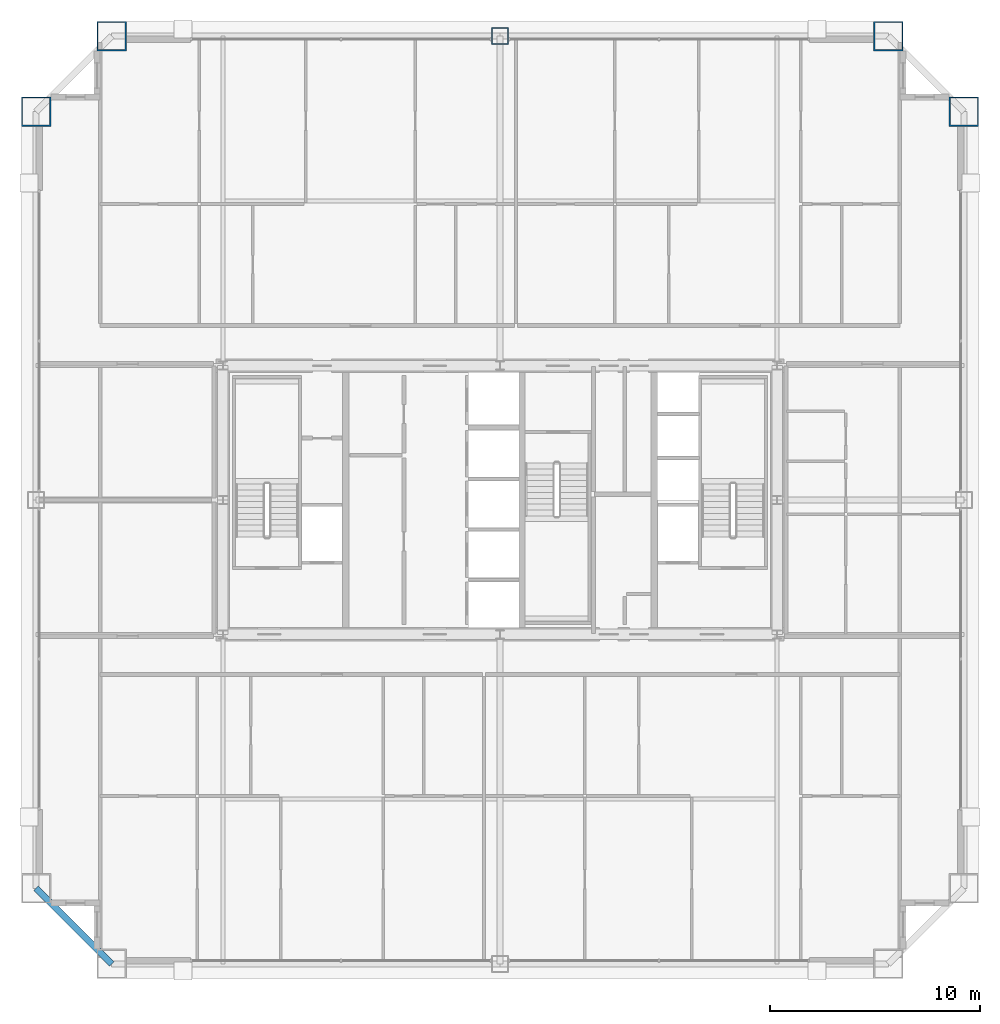
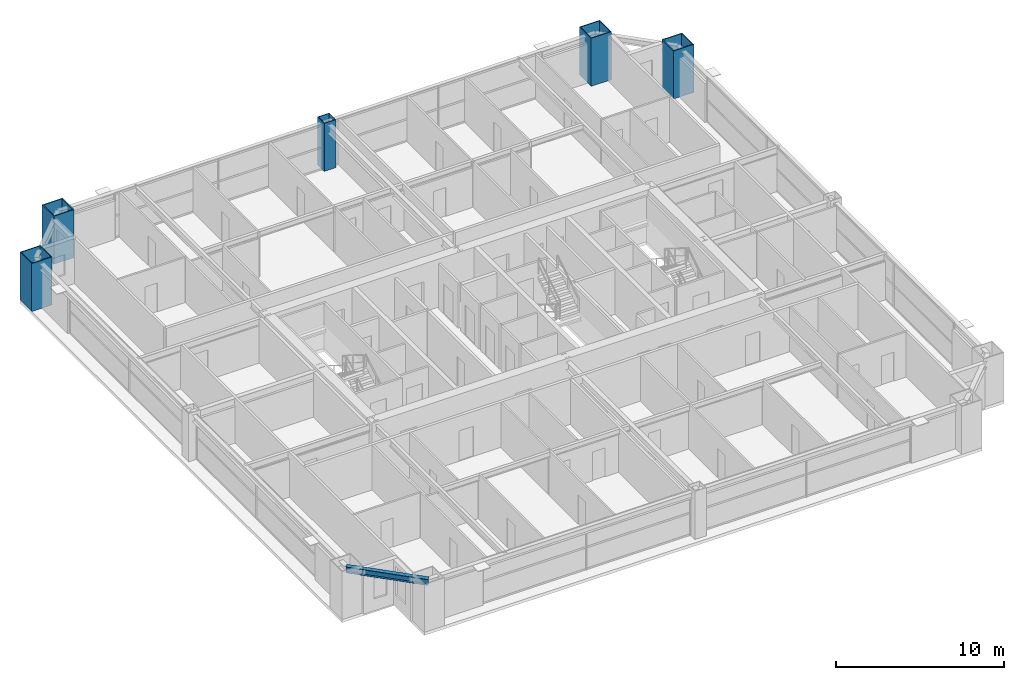
# One storey, part 3 of 38: 5 columns, 1 beam.
"""IFC4 building model written with IfcOpenShell, lengths in metres."""

from ifc_helpers import new_model, si_unit, direction, frame, origin, origin_2d, place, context, subcontext, project, spatial, hollow_rectangle, i_section, extrude, source, transform, mapped, material, material_profile, profile_set, type_object, element, save


model = new_model("IFC4")

# Units and contexts
model_context = context("Model", 3, precision=1e-05, world=origin(), true_north=direction((0.0, 1.0)))
body_context = subcontext(model_context, "Body", "Model", "MODEL_VIEW")
ifc_project = project(units=[si_unit("LENGTHUNIT", "METRE"), si_unit("AREAUNIT", "SQUARE_METRE"), si_unit("VOLUMEUNIT", "CUBIC_METRE"), si_unit("PLANEANGLEUNIT", "RADIAN"), si_unit("MASSUNIT", "GRAM", prefix="KILO"), si_unit("THERMODYNAMICTEMPERATUREUNIT", "KELVIN"), si_unit("POWERUNIT", "WATT")], contexts=[model_context])

# Site, building, storey
site_placement = place(None, origin())
site = spatial("IfcSite", under=ifc_project, at=site_placement, CompositionType="ELEMENT")
building_placement = place(site_placement, origin())
building = spatial("IfcBuilding", under=site, at=building_placement, Name="Yuzanri Waterfront Tower", CompositionType="ELEMENT")
storey_placement = place(building_placement, frame((0.0, 0.0, 195.0)))
storey = spatial("IfcBuildingStorey", under=building, at=storey_placement, Name="L51", CompositionType="ELEMENT", Elevation=195.0)

# Columns
ifc_material_1 = material(Name="Steel Q420GJC", Category="steel")
ifc_material_profile_1 = material_profile(ifc_material_1, hollow_rectangle(XDim=1.39990234375, YDim=1.39990234375, WallThickness=0.06005859375, at=origin_2d()), Name="RHS 1400x1400x60")
ifc_profile_set_1 = profile_set([ifc_material_profile_1], Name="Steel Q420GJC")
column_type_1 = type_object("IfcColumnType", Name="Mega Column Q420GJC RHS 1400x1400x60", PredefinedType="COLUMN", material=ifc_profile_set_1)
shared_shape_1 = source(origin(), body_context, "Body", "SweptSolid", [
    extrude(hollow_rectangle(XDim=1.39990234375, YDim=1.39990234375, WallThickness=0.06005859375, at=origin_2d()), origin(), (0.0, 0.0, 1.0), 3.5),
])
for number, where, z_axis, x_axis, name in (
    (1, (18.5, 47.89990234375, 0.0), (0.0, 0.0, 1.0), (1.0, 0.0, 0.0), "L51 Perimeter Mega Column N1"),
    (2, (55.5, 47.89990234375, 0.0), (0.0, 0.0, 1.0), (1.0, 0.0, 0.0), "L51 Perimeter Mega Column N3"),
    (3, (14.89990234375, 44.300048828125, 0.0), (0.0, 0.0, 1.0), (1.0, 0.0, 0.0), "L51 Perimeter Mega Column W3"),
    (4, (59.10009765625, 44.300048828125, 0.0), (0.0, 0.0, 1.0), (1.0, 0.0, 0.0), "L51 Perimeter Mega Column E3"),
):
    element("IfcColumn", number, at=place(storey_placement, frame(where, z_axis=z_axis, x_axis=x_axis)), inside=storey, type_object=column_type_1, Name=name, PredefinedType="COLUMN", context=body_context, shape_type="MappedRepresentation", body=[
        mapped(shared_shape_1, transform((0.0, 0.0, 0.0), scale=1.0)),
    ])
ifc_material_2 = material(Name="Steel Q390GJC", Category="steel")
ifc_material_profile_2 = material_profile(ifc_material_2, hollow_rectangle(XDim=0.800048828125, YDim=0.800048828125, WallThickness=0.035888671875, at=origin_2d()), Name="RHS 800x800x36")
ifc_profile_set_2 = profile_set([ifc_material_profile_2], Name="Steel Q390GJC")
column_type_2 = type_object("IfcColumnType", Name="Frame Column Q390GJC RHS 800x800x36", PredefinedType="COLUMN", material=ifc_profile_set_2)
shared_shape_2 = source(origin(), body_context, "Body", "SweptSolid", [
    extrude(hollow_rectangle(XDim=0.800048828125, YDim=0.800048828125, WallThickness=0.035888671875, at=origin_2d()), origin(), (0.0, 0.0, 1.0), 3.5),
])
column_placement = place(storey_placement, frame((37.0, 47.89990234375, 0.0), z_axis=(0.0, 0.0, 1.0), x_axis=(1.0, 0.0, 0.0)))
element("IfcColumn", 5, at=column_placement, inside=storey, type_object=column_type_2, Name="L51 Perimeter Frame Column N2", PredefinedType="COLUMN", context=body_context, shape_type="MappedRepresentation", body=[
    mapped(shared_shape_2, transform((0.0, 0.0, 0.0), scale=1.0)),
])

# Beam
ifc_material_3 = material(Name="Steel Q355B", Category="steel")
ifc_material_profile_3 = material_profile(ifc_material_3, i_section(OverallWidth=0.300048828125, OverallDepth=0.43994140625, WebThickness=0.010986328125, FlangeThickness=0.01806640625, at=origin_2d()), Name="HM 440x300x11x18")
ifc_profile_set_3 = profile_set([ifc_material_profile_3], Name="Steel Q355B")
beam_type = type_object("IfcBeamType", Name="Perimeter Spandrel Q355B HM 440x300", PredefinedType="SPANDREL", material=ifc_profile_set_3)
shared_shape_3 = source(origin(), body_context, "Body", "SweptSolid", [
    extrude(i_section(OverallWidth=0.300048828125, OverallDepth=0.43994140625, WebThickness=0.010986328125, FlangeThickness=0.01806640625, at=origin_2d()), origin(), (0.0, 0.0, 1.0), 5.09130859375),
])
beam_placement = place(storey_placement, frame((14.89990234375, 7.300048828125, 3.06005859375), z_axis=(0.707106781187, -0.707106781187, 0.0), x_axis=(0.707106781187, 0.707106781187, 0.0)))
element("IfcBeam", 6, at=beam_placement, inside=storey, type_object=beam_type, Name="L51 Perimeter Spandrel W1-S1", PredefinedType="SPANDREL", context=body_context, shape_type="MappedRepresentation", body=[
    mapped(shared_shape_3, transform((0.0, 0.0, 0.0), scale=1.0)),
])

save(model, "model.ifc")
